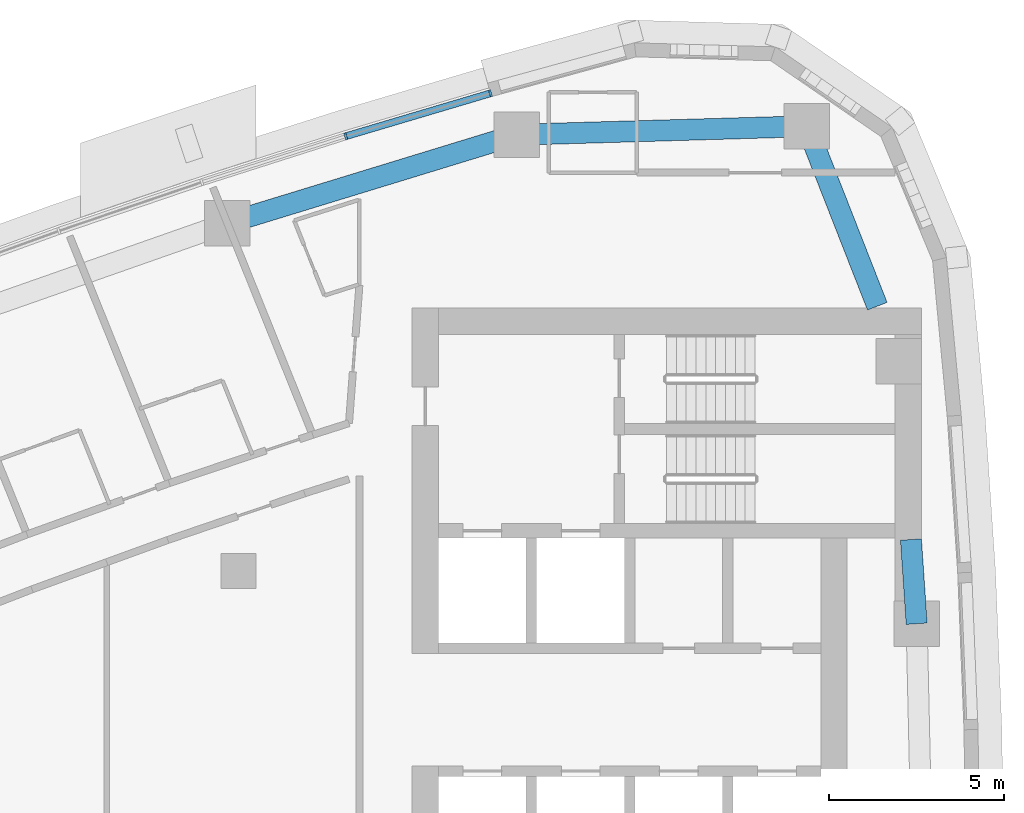
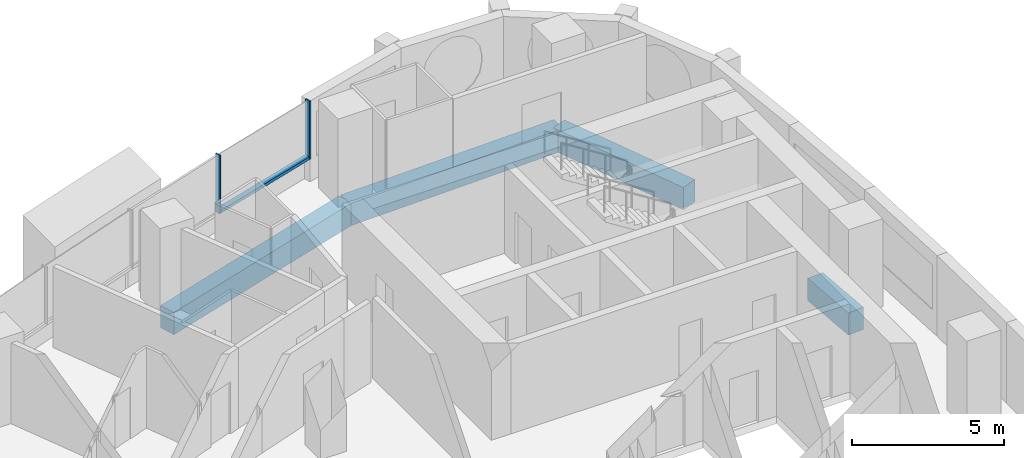
# One storey, part 7 of 17: 4 beams, 3 members, 1 element without a shape of its own.
"""IFC4 building model written with IfcOpenShell, lengths in metres."""

import ifcopenshell
import ifcopenshell.guid

model = None  # the IFC model being written
_history = None  # IfcOwnerHistory: only IFC2X3 demands one
_inside = {}  # id of a spatial element -> (the spatial element, [elements in it])
_under = {}  # id of a project, library or spatial element -> (it, [spatial elements below it])
_declared = {}  # id of a project -> (the project, [libraries it declares])
_typed = {}  # id of a type object -> (the type object, [elements of that type])
_made_of = {}  # id of a material, layer set ... -> (it, [elements and type objects made of it])


def new_model(schema):
    """Start an empty IFC model of exactly this schema.

    Asked for "IFC4X3", IfcOpenShell would pick the latest addendum, in which some entities
    have other attributes; the version numbers below select the first issue.
    IFC2X3 requires an IfcOwnerHistory on every rooted entity: one is made here for all.
    """
    global model, _history
    if schema == "IFC4X3":
        model = ifcopenshell.file(schema_version=(4, 3, 0, 0))
    else:
        model = ifcopenshell.file(schema=schema)
    _inside.clear()
    _under.clear()
    _declared.clear()
    _typed.clear()
    _made_of.clear()
    _history = None
    if model.schema == "IFC2X3":
        org = make("IfcOrganization", Name="unknown")
        user = make(
            "IfcPersonAndOrganization",
            ThePerson=make("IfcPerson", FamilyName="unknown"),
            TheOrganization=org,
        )
        app = make(
            "IfcApplication",
            ApplicationDeveloper=org,
            Version="unknown",
            ApplicationFullName="unknown",
            ApplicationIdentifier="unknown",
        )
        _history = make(
            "IfcOwnerHistory",
            OwningUser=user,
            OwningApplication=app,
            ChangeAction="ADDED",
            CreationDate=0,
        )
    return model


def make(cls, **values):
    """One entity of the class cls with the attributes given. An attribute that is None is left unset."""
    return model.create_entity(
        cls, **{name: value for name, value in values.items() if value is not None}
    )


def rooted(cls, **values):
    """An entity with a GlobalId (a new one), such as an element, a storey or a relation."""
    return make(cls, GlobalId=ifcopenshell.guid.new(), OwnerHistory=_history, **values)


def si_unit(unit_type, name, prefix=None):
    """IfcSIUnit, for example si_unit("LENGTHUNIT", "METRE", prefix="MILLI")."""
    return make("IfcSIUnit", UnitType=unit_type, Prefix=prefix, Name=name)


def assignment(units):
    """IfcUnitAssignment: the units of a project."""
    return None if units is None else make("IfcUnitAssignment", Units=units)


def point(xyz):
    """IfcCartesianPoint."""
    return None if xyz is None else make("IfcCartesianPoint", Coordinates=xyz)


def direction(xyz):
    """IfcDirection."""
    return None if xyz is None else make("IfcDirection", DirectionRatios=xyz)


def frame(location, z_axis=None, x_axis=None):
    """IfcAxis2Placement3D, a coordinate frame: its origin and axes. An axis left out is left unset."""
    return make(
        "IfcAxis2Placement3D",
        Location=point(location),
        Axis=direction(z_axis),
        RefDirection=direction(x_axis),
    )


def frame_2d(location, x_axis=None):
    """IfcAxis2Placement2D, a coordinate frame in the plane: its origin and x axis."""
    return make(
        "IfcAxis2Placement2D", Location=point(location), RefDirection=direction(x_axis)
    )


def origin():
    """The frame at (0, 0, 0) with its axes left unset."""
    return frame((0.0, 0.0, 0.0))


def origin_2d():
    """The frame at (0, 0) in the plane with its x axis left unset."""
    return frame_2d((0.0, 0.0))


def place(relative_to, where):
    """IfcLocalPlacement: puts the frame where relative to a parent placement (None: the world)."""
    return make(
        "IfcLocalPlacement", PlacementRelTo=relative_to, RelativePlacement=where
    )


def context(
    kind, dimensions, precision=None, world=None, true_north=None, identifier=None
):
    """IfcGeometricRepresentationContext, for example the 3D "Model" context."""
    return make(
        "IfcGeometricRepresentationContext",
        ContextIdentifier=identifier,
        ContextType=kind,
        CoordinateSpaceDimension=dimensions,
        Precision=precision,
        WorldCoordinateSystem=world,
        TrueNorth=true_north,
    )


def subcontext(parent, identifier, kind, view, scale=None):
    """IfcGeometricRepresentationSubContext, for example "Body" below "Model"."""
    return make(
        "IfcGeometricRepresentationSubContext",
        ContextIdentifier=identifier,
        ContextType=kind,
        ParentContext=parent,
        TargetScale=scale,
        TargetView=view,
    )


def project(units=None, contexts=None):
    """IfcProject with its units and contexts."""
    return rooted(
        "IfcProject",
        Name="project",
        RepresentationContexts=contexts,
        UnitsInContext=assignment(units),
    )


def spatial(cls, under=None, at=None, **own):
    """A site, building, storey or space (cls), placed at a placement, below another one or the project."""
    s = rooted(cls, ObjectPlacement=at, **own)
    if under is not None:
        _under.setdefault(under.id(), (under, []))[1].append(s)
    return s


def profile(cls, at=None, kind="AREA", **sizes):
    """A parametric profile (cls). Its sizes go by their IFC names, for example OverallWidth=200.0."""
    return make(cls, ProfileType=kind, Position=at, **sizes)


def rectangle(**sizes):
    """IfcRectangleProfileDef."""
    return profile("IfcRectangleProfileDef", **sizes)


def extrude(swept, where, along, depth):
    """IfcExtrudedAreaSolid: the profile swept, set in the frame where, extruded along a direction by depth."""
    return make(
        "IfcExtrudedAreaSolid",
        SweptArea=swept,
        Position=where,
        ExtrudedDirection=direction(along),
        Depth=depth,
    )


def shape(context_of_items, identifier, shape_type, items):
    """IfcShapeRepresentation: the items that make up one representation, for example the "Body"."""
    return make(
        "IfcShapeRepresentation",
        ContextOfItems=context_of_items,
        RepresentationIdentifier=identifier,
        RepresentationType=shape_type,
        Items=items,
    )


def material(Name=None, Category=None):
    """IfcMaterial."""
    return make("IfcMaterial", Name=Name, Category=Category)


def layer(
    of_material, thickness, ventilated=None, Name=None, Category=None, Priority=None
):
    """IfcMaterialLayer: one layer of a wall or slab, of a material (None: an air gap)."""
    return make(
        "IfcMaterialLayer",
        Material=of_material,
        LayerThickness=thickness,
        IsVentilated=ventilated,
        Name=Name,
        Category=Category,
        Priority=Priority,
    )


def layer_set(layers, Name=None):
    """IfcMaterialLayerSet."""
    return make("IfcMaterialLayerSet", MaterialLayers=layers, LayerSetName=Name)


def material_profile(
    of_material, cross_section, Name=None, Category=None, Priority=None
):
    """IfcMaterialProfile: a cross section and its material."""
    return make(
        "IfcMaterialProfile",
        Name=Name,
        Material=of_material,
        Profile=cross_section,
        Priority=Priority,
        Category=Category,
    )


def profile_set(profiles, Name=None, composite=None):
    """IfcMaterialProfileSet."""
    return make(
        "IfcMaterialProfileSet",
        Name=Name,
        MaterialProfiles=profiles,
        CompositeProfile=composite,
    )


def made_of(thing, what):
    """Note that an element or type object is made of a material, layer set ...; save() writes the relation."""
    if what is not None:
        _made_of.setdefault(what.id(), (what, []))[1].append(thing)
    return thing


def type_object(cls, material=None, **own):
    """A type object (cls), such as IfcWallType, which elements share."""
    return made_of(rooted(cls, **own), material)


def element(
    cls,
    number,
    at=None,
    inside=None,
    cuts=None,
    type_object=None,
    material=None,
    context=None,
    identifier="Body",
    shape_type=None,
    held_by="IfcProductDefinitionShape",
    body=None,
    shapes=None,
    **own,
):
    """One element of the class cls, such as IfcWall. Its Tag is "e" and its number.

    at: its placement. inside: the storey or other place that contains it. cuts: it is an
    opening in that element (IfcRelVoidsElement). A single representation is given by context,
    identifier, shape_type and body (its items); several are given by shapes. held_by: the class
    of the entity that holds the representations. save() writes the other relations.
    """
    e = rooted(cls, Tag="e%d" % number, ObjectPlacement=at, **own)
    if body is not None:
        shapes = [shape(context, identifier, shape_type, body)]
    if shapes is not None:
        e.Representation = make(held_by, Representations=shapes)
    if inside is not None:
        _inside.setdefault(inside.id(), (inside, []))[1].append(e)
    if cuts is not None:
        rooted(
            "IfcRelVoidsElement", RelatingBuildingElement=cuts, RelatedOpeningElement=e
        )
    if type_object is not None:
        _typed.setdefault(type_object.id(), (type_object, []))[1].append(e)
    return made_of(e, material)


def aggregate(whole, parts):
    """IfcRelAggregates: a whole, such as a stair, and the parts it consists of."""
    return rooted("IfcRelAggregates", RelatingObject=whole, RelatedObjects=parts)


def save(model, path):
    """Write the relations noted so far, then the file.

    IfcRelAggregates (storeys below a building ...), IfcRelContainedInSpatialStructure (elements
    in a storey), IfcRelDefinesByType, IfcRelAssociatesMaterial and IfcRelDeclares: one each for
    every whole, place, type object, material and project.
    """
    for whole, parts in _under.values():
        aggregate(whole, parts)
    for where, things in _inside.values():
        rooted(
            "IfcRelContainedInSpatialStructure",
            RelatedElements=things,
            RelatingStructure=where,
        )
    for kind, things in _typed.values():
        rooted("IfcRelDefinesByType", RelatedObjects=things, RelatingType=kind)
    for what, things in _made_of.values():
        rooted("IfcRelAssociatesMaterial", RelatedObjects=things, RelatingMaterial=what)
    for by, libraries in _declared.values():
        rooted("IfcRelDeclares", RelatingContext=by, RelatedDefinitions=libraries)
    model.write(path)


model = new_model("IFC4")

# Units and contexts
model_context = context("Model", 3, precision=1e-05, world=origin(), true_north=direction((0.0, 1.0)))
body_context = subcontext(model_context, "Body", "Model", "MODEL_VIEW")
ifc_project = project(units=[si_unit("LENGTHUNIT", "METRE"), si_unit("AREAUNIT", "SQUARE_METRE"), si_unit("VOLUMEUNIT", "CUBIC_METRE"), si_unit("PLANEANGLEUNIT", "RADIAN"), si_unit("MASSUNIT", "GRAM", prefix="KILO")], contexts=[model_context])

# Site, building, storey
site_placement = place(None, origin())
site = spatial("IfcSite", under=ifc_project, at=site_placement, CompositionType="ELEMENT")
building_placement = place(site_placement, origin())
building = spatial("IfcBuilding", under=site, at=building_placement, Name="Ostrand Prow Hotel Tower", CompositionType="ELEMENT")
storey_placement = place(building_placement, frame((0.0, 0.0, 203.89990234375)))
storey = spatial("IfcBuildingStorey", under=building, at=storey_placement, Name="L51", CompositionType="ELEMENT", Elevation=203.89990234375)

# Beams
ifc_material_1 = material(Name="Concrete C60/75", Category="concrete")
ifc_material_profile_1 = material_profile(ifc_material_1, rectangle(XDim=0.60009765625, YDim=0.89990234375, at=origin_2d()), Name="RC 600x900")
ifc_profile_set_1 = profile_set([ifc_material_profile_1], Name="Concrete C60/75")
beam_type = type_object("IfcBeamType", Name="Edge beam 600x900 C60/75", PredefinedType="SPANDREL", material=ifc_profile_set_1)
beam_1_placement = place(storey_placement, frame((64.330322265625, 7.499267578125, -0.75), z_axis=(-0.067778284608, 0.997700408006, 0.0), x_axis=(-0.997700408006, -0.067778284608, 0.0)))
element("IfcBeam", 1, at=beam_1_placement, inside=storey, type_object=beam_type, Name="Edge beam B4-B5", PredefinedType="SPANDREL", context=body_context, shape_type="SweptSolid", body=[
    extrude(rectangle(XDim=0.60009765625, YDim=0.89990234375, at=origin_2d()), origin(), (0.0, 0.0, 1.0), 2.40625),
])
beam_2_placement = place(storey_placement, frame((63.2080078125, 16.550048828125, -0.75), z_axis=(-0.364802049817, 0.931085100541, 0.0), x_axis=(-0.931085100541, -0.364802049817, 0.0)))
element("IfcBeam", 2, at=beam_2_placement, inside=storey, type_object=beam_type, Name="Edge beam B5-NE", PredefinedType="SPANDREL", context=body_context, shape_type="SweptSolid", body=[
    extrude(rectangle(XDim=0.60009765625, YDim=0.89990234375, at=origin_2d()), origin(), (0.0, 0.0, 1.0), 5.508544921875),
])
beam_3_placement = place(storey_placement, frame((61.198486328125, 21.678955078125, -0.75), z_axis=(-0.999575901438, -0.029120735993, 0.0), x_axis=(0.029120735993, -0.999575901438, 0.0)))
element("IfcBeam", 3, at=beam_3_placement, inside=storey, type_object=beam_type, Name="Edge beam NE-N1", PredefinedType="SPANDREL", context=body_context, shape_type="SweptSolid", body=[
    extrude(rectangle(XDim=0.60009765625, YDim=0.89990234375, at=origin_2d()), origin(), (0.0, 0.0, 1.0), 8.274658203125),
])
beam_4_placement = place(storey_placement, frame((52.92724609375, 21.43798828125, -0.75), z_axis=(-0.956245556413, -0.292565267659, 0.0), x_axis=(0.292565267659, -0.956245556413, 0.0)))
element("IfcBeam", 4, at=beam_4_placement, inside=storey, type_object=beam_type, Name="Edge beam N1-N2", PredefinedType="SPANDREL", context=body_context, shape_type="SweptSolid", body=[
    extrude(rectangle(XDim=0.60009765625, YDim=0.89990234375, at=origin_2d()), origin(), (0.0, 0.0, 1.0), 8.621826171875),
])

# Curtain wall, members
ifc_material_2 = material(Name="Insulated glass in bronze anodised frame", Category="glass")
ifc_layer = layer(ifc_material_2, 0.199951171875)
ifc_layer_set = layer_set([ifc_layer], Name="Insulated glass in bronze anodised frame")
curtain_wall_type = type_object("IfcCurtainWallType", Name="Strip curtain wall, fritted glass over bronze spandrel", PredefinedType="NOTDEFINED", material=ifc_layer_set)
curtain_wall_placement = place(storey_placement, origin())
curtain_wall = element("IfcCurtainWall", 5, at=curtain_wall_placement, inside=storey, type_object=curtain_wall_type, Name="CW1 run CWN1", PredefinedType="NOTDEFINED")
ifc_material_3 = material(Name="Bronze anodised aluminium", Category="aluminium")
ifc_material_profile_2 = material_profile(ifc_material_3, rectangle(XDim=0.199951171875, YDim=0.06005859375, at=origin_2d()), Name="Mullion 60x200 bronze anodised aluminium")
ifc_profile_set_2 = profile_set([ifc_material_profile_2], Name="Bronze anodised aluminium")
member_type_1 = type_object("IfcMemberType", Name="Mullion 60x200 bronze anodised aluminium", PredefinedType="MULLION", material=ifc_profile_set_2)
member_1_placement = place(storey_placement, frame((52.182373046875, 22.619384765625, 0.900146484375), z_axis=(0.0, 0.0, 1.0), x_axis=(0.284544113619, -0.958662947758, 0.0)))
member_1 = element("IfcMember", 6, at=member_1_placement, type_object=member_type_1, Name="CW1 mullion 1", PredefinedType="MULLION", context=body_context, shape_type="SweptSolid", body=[
    extrude(rectangle(XDim=0.199951171875, YDim=0.06005859375, at=origin_2d()), origin(), (0.0, 0.0, 1.0), 2.349853515625),
])
member_2_placement = place(storey_placement, frame((48.055419921875, 21.39453125, 0.900146484375), z_axis=(0.0, 0.0, 1.0), x_axis=(0.303786970008, -0.952739983864, 0.0)))
member_2 = element("IfcMember", 7, at=member_2_placement, type_object=member_type_1, Name="CW1 mullion 2", PredefinedType="MULLION", context=body_context, shape_type="SweptSolid", body=[
    extrude(rectangle(XDim=0.199951171875, YDim=0.06005859375, at=origin_2d()), origin(), (0.0, 0.0, 1.0), 2.349853515625),
])
ifc_material_4 = material(Name="Bronze anodised aluminium", Category="aluminium")
ifc_material_profile_3 = material_profile(ifc_material_4, rectangle(XDim=0.199951171875, YDim=0.1201171875, at=origin_2d()), Name="Transom 120x200 bronze anodised aluminium")
ifc_profile_set_3 = profile_set([ifc_material_profile_3], Name="Bronze anodised aluminium")
member_type_2 = type_object("IfcMemberType", Name="Transom 120x200 bronze anodised aluminium", PredefinedType="USERDEFINED", material=ifc_profile_set_3)
member_3_placement = place(storey_placement, frame((52.15380859375, 22.611083984375, 0.960205078125), z_axis=(-0.958661084062, -0.284550392558, 0.0), x_axis=(0.284550392558, -0.958661084062, 0.0)))
member_3 = element("IfcMember", 8, at=member_3_placement, type_object=member_type_2, Name="CW1 transom 1.1", ObjectType="TRANSOM", PredefinedType="USERDEFINED", context=body_context, shape_type="SweptSolid", body=[
    extrude(rectangle(XDim=0.199951171875, YDim=0.1201171875, at=origin_2d()), origin(), (0.0, 0.0, 1.0), 4.245361328125),
])
aggregate(curtain_wall, [member_1, member_2, member_3])

save(model, "model.ifc")
